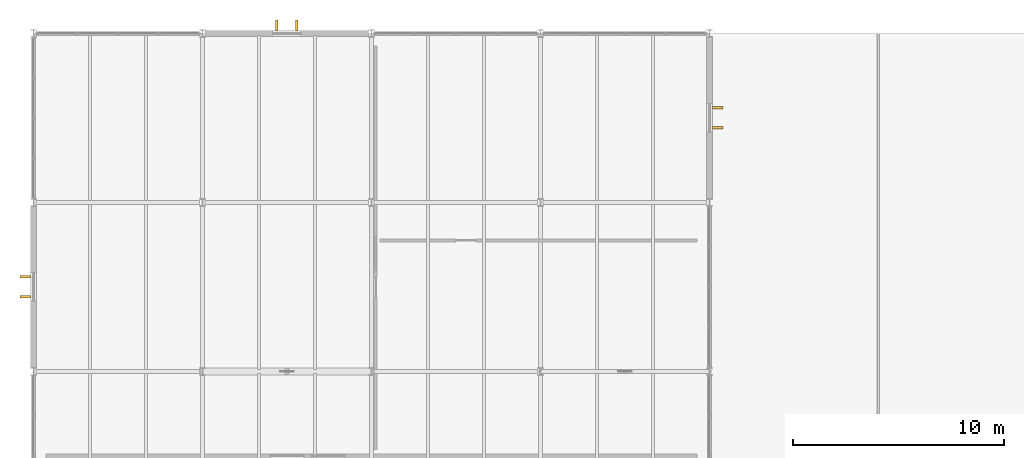
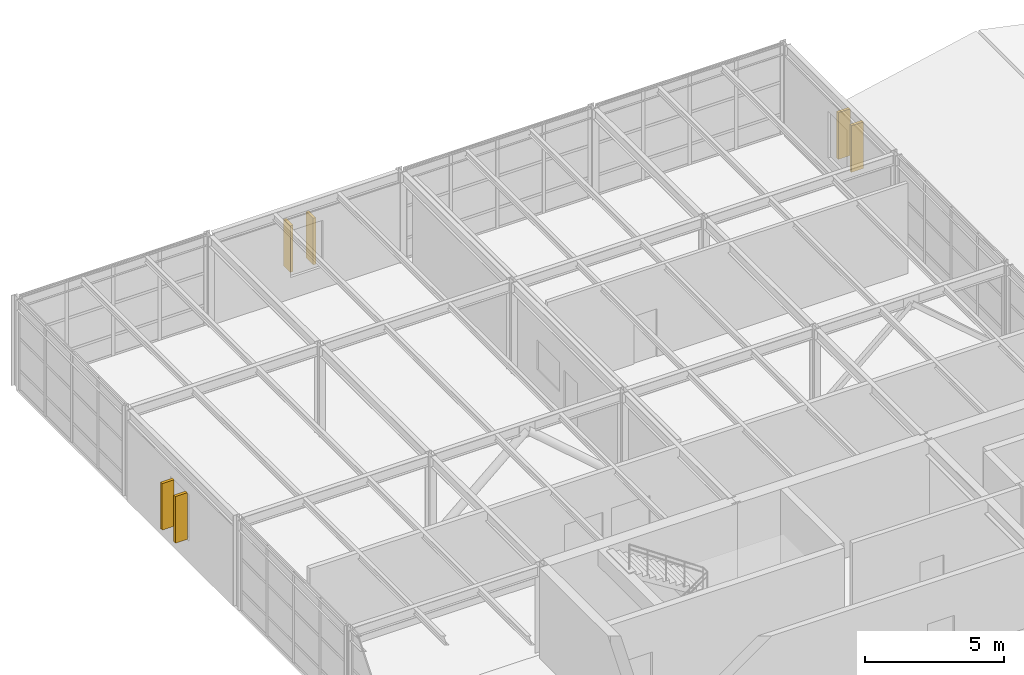
# One storey, part 20 of 20: 6 shading devices.
"""IFC4 building model written with IfcOpenShell, lengths in metres."""

from ifc_helpers import new_model, si_unit, direction, frame, origin, origin_2d, place, context, subcontext, project, spatial, rectangle, extrude, material, type_object, element, save


model = new_model("IFC4")

# Units and contexts
model_context = context("Model", 3, precision=1e-05, world=origin(), true_north=direction((0.0, 1.0)))
body_context = subcontext(model_context, "Body", "Model", "MODEL_VIEW")
ifc_project = project(units=[si_unit("LENGTHUNIT", "METRE"), si_unit("AREAUNIT", "SQUARE_METRE"), si_unit("VOLUMEUNIT", "CUBIC_METRE"), si_unit("PLANEANGLEUNIT", "RADIAN"), si_unit("MASSUNIT", "GRAM", prefix="KILO")], contexts=[model_context])

# Site, building, storey
site_placement = place(None, origin())
site = spatial("IfcSite", under=ifc_project, at=site_placement, CompositionType="ELEMENT")
building_placement = place(site_placement, origin())
building = spatial("IfcBuilding", under=site, at=building_placement, Name="Varnela Railside Interchange", CompositionType="ELEMENT")
storey_placement = place(building_placement, frame((0.0, 0.0, 28.0)))
storey = spatial("IfcBuildingStorey", under=building, at=storey_placement, Name="L06", CompositionType="ELEMENT", Elevation=28.0)

# Shading devices
ifc_material = material(Name="Concrete C40 precast", Category="concrete")
shading_device_type = type_object("IfcShadingDeviceType", Name="Paulista Vertical Brise-Soleil BS-01", PredefinedType="USERDEFINED", material=ifc_material)
for number, where, z_axis, x_axis, name in (
    (1, (3.614990234375, 81.527587890625, 0.9501953125), (0.0, 0.0, 1.0), (-1.0, 0.0, 0.0), "Paulista Vertical Brise-Soleil BS-01 (L06)"),
    (2, (3.614990234375, 82.472412109375, 0.9501953125), (0.0, 0.0, 1.0), (-1.0, 0.0, 0.0), "Paulista Vertical Brise-Soleil BS-01 (L06)"),
    (3, (15.527587890625, 94.385009765625, 0.9501953125), (0.0, 0.0, 1.0), (0.0, 1.0, 0.0), "Paulista Vertical Brise-Soleil BS-01 (L06)"),
    (4, (16.472412109375, 94.385009765625, 0.9501953125), (0.0, 0.0, 1.0), (0.0, 1.0, 0.0), "Paulista Vertical Brise-Soleil BS-01 (L06)"),
    (5, (36.385009765625, 90.472412109375, 0.9501953125), (0.0, 0.0, 1.0), (1.0, 0.0, 0.0), "Paulista Vertical Brise-Soleil BS-01 (L06)"),
    (6, (36.385009765625, 89.527587890625, 0.9501953125), (0.0, 0.0, 1.0), (1.0, 0.0, 0.0), "Paulista Vertical Brise-Soleil BS-01 (L06)"),
):
    element("IfcShadingDevice", number, at=place(storey_placement, frame(where, z_axis=z_axis, x_axis=x_axis)), inside=storey, type_object=shading_device_type, Name=name, ObjectType="FIN", PredefinedType="USERDEFINED", context=body_context, shape_type="SweptSolid", body=[
        extrude(rectangle(XDim=0.5, YDim=0.1201171875, at=origin_2d()), origin(), (0.0, 0.0, 1.0), 2.050048828125),
    ])

save(model, "model.ifc")
